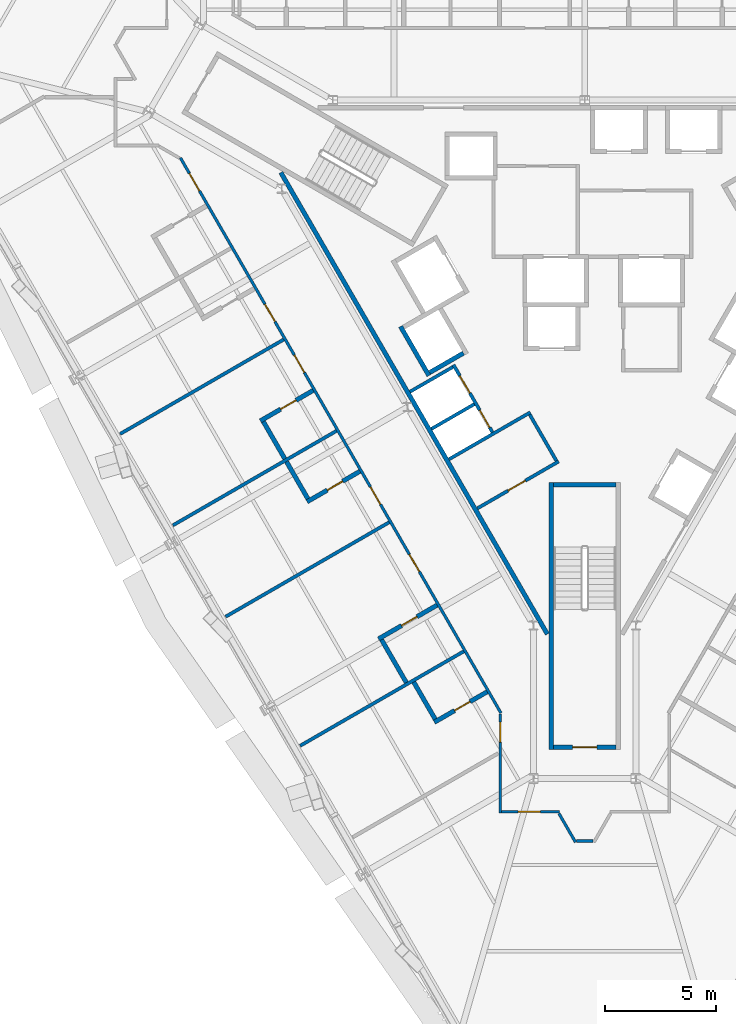
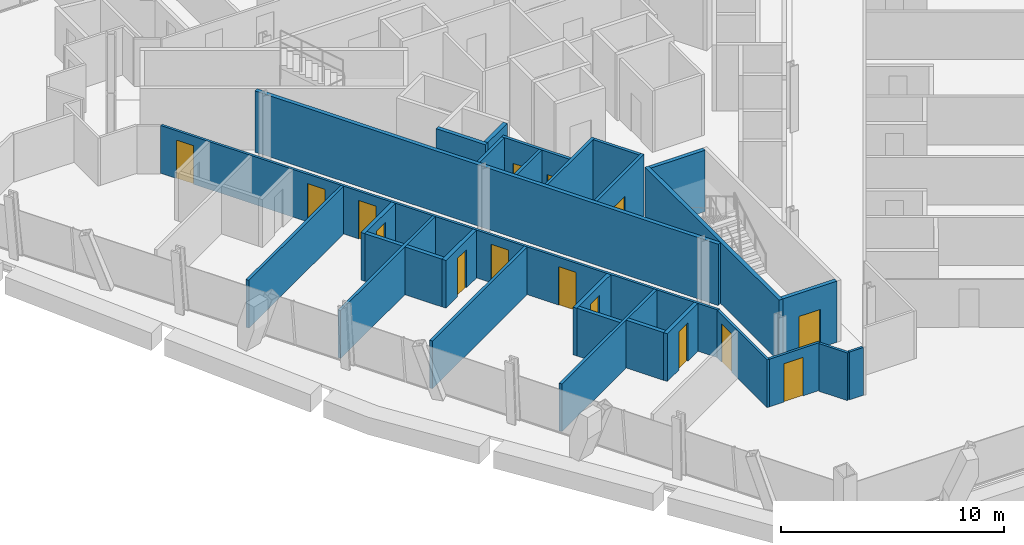
# One storey, part 8 of 15: 29 walls, 15 doors, 15 openings.
"""IFC4 building model written with IfcOpenShell, lengths in metres."""

from ifc_helpers import new_model, si_unit, direction, frame, frame_2d, origin, place, context, subcontext, project, spatial, rectangle, extrude, material, layer, layer_set, type_object, element, fill, save


model = new_model("IFC4")

# Units and contexts
model_context = context("Model", 3, precision=1e-05, world=origin(), true_north=direction((0.0, 1.0)))
body_context = subcontext(model_context, "Body", "Model", "MODEL_VIEW")
ifc_project = project(units=[si_unit("LENGTHUNIT", "METRE"), si_unit("AREAUNIT", "SQUARE_METRE"), si_unit("VOLUMEUNIT", "CUBIC_METRE"), si_unit("PLANEANGLEUNIT", "RADIAN"), si_unit("MASSUNIT", "GRAM", prefix="KILO")], contexts=[model_context])

# Site, building, storey
site_placement = place(None, origin())
site = spatial("IfcSite", under=ifc_project, at=site_placement, CompositionType="ELEMENT")
building_placement = place(site_placement, origin())
building = spatial("IfcBuilding", under=site, at=building_placement, Name="Verrane Prism Tower", CompositionType="ELEMENT")
storey_placement = place(building_placement, frame((0.0, 0.0, 72.800048828125)))
storey = spatial("IfcBuildingStorey", under=building, at=storey_placement, Name="L16", CompositionType="ELEMENT", Elevation=72.800048828125)

# Wall
ifc_material_1 = material(Name="Gypsum board partition", Category="other")
ifc_layer_1 = layer(ifc_material_1, 0.199951171875)
ifc_layer_set_1 = layer_set([ifc_layer_1], Name="CW-200 core boundary wall 2 h")
wall_type_1 = type_object("IfcWallType", Name="CW-200 core boundary wall 2 h", PredefinedType="PARTITIONING", material=ifc_layer_set_1)
wall_1_placement = place(storey_placement, frame((-13.66357421875, 5.946044921875, 0.0), z_axis=(0.0, 0.0, 1.0), x_axis=(0.499994327219, -0.866028678941, 0.0)))
element("IfcWall", 1, at=wall_1_placement, inside=storey, type_object=wall_type_1, Name="Core boundary wall CW3-001", PredefinedType="PARTITIONING", context=body_context, shape_type="SweptSolid", body=[
    extrude(rectangle(XDim=23.967529296875, YDim=0.199951171875, at=frame_2d((11.98388671875, 0.0))), origin(), (0.0, 0.0, 1.0), 3.349853515625),
])

# Wall, opening, door
ifc_material_2 = material(Name="Concrete C40/50", Category="concrete")
ifc_layer_2 = layer(ifc_material_2, 0.199951171875)
ifc_layer_set_2 = layer_set([ifc_layer_2], Name="CW-200 stair core wall concrete C40/50 3 h")
wall_type_2 = type_object("IfcWallType", Name="CW-200 stair core wall concrete C40/50 3 h", PredefinedType="PARTITIONING", material=ifc_layer_set_2)
wall_2_placement = place(storey_placement, frame((-1.39990234375, -19.89990234375, 0.0), z_axis=(0.0, 0.0, 1.0), x_axis=(1.0, 0.0, 0.0)))
wall_2 = element("IfcWall", 2, at=wall_2_placement, inside=storey, type_object=wall_type_2, Name="Stair 3 enclosure wall", PredefinedType="PARTITIONING", context=body_context, shape_type="SweptSolid", body=[
    extrude(rectangle(XDim=2.7998046875, YDim=0.199951171875, at=frame_2d((1.39990234375, 0.0))), origin(), (0.0, 0.0, 1.0), 3.349853515625),
])
opening_1_placement = place(wall_2_placement, frame((0.85009765625, 0.0, 0.0)))
opening_1 = element("IfcOpeningElement", 3, at=opening_1_placement, cuts=wall_2, Name="Opening D14502", PredefinedType="OPENING", context=body_context, shape_type="SweptSolid", body=[
    extrude(rectangle(XDim=1.10009765625, YDim=2.10009765625, at=frame_2d((0.550048828125, 1.050048828125))), frame((0.0, 0.10986328125, 0.0), z_axis=(0.0, -1.0, 0.0), x_axis=(1.0, 0.0, 0.0)), (0.0, 0.0, 1.0), 0.219970703125),
])
ifc_material_3 = material(Name="Timber veneered door leaf", Category="wood")
door_type_1 = type_object("IfcDoorType", Name="DR-1100x2100 FD90 single leaf stair", OperationType="NOTDEFINED", PredefinedType="DOOR", material=ifc_material_3)
door_1_placement = place(opening_1_placement, origin())
door_1 = element("IfcDoor", 4, at=door_1_placement, inside=storey, type_object=door_type_1, Name="Stair 3 door", OperationType="SINGLE_SWING_LEFT", OverallHeight=2.10009765625, OverallWidth=1.10009765625, PredefinedType="DOOR", context=body_context, shape_type="SweptSolid", body=[
    extrude(rectangle(XDim=1.10009765625, YDim=2.10009765625, at=frame_2d((0.550048828125, 1.050048828125))), frame((0.0, 0.02490234375, 0.0), z_axis=(0.0, -1.0, 0.0), x_axis=(1.0, 0.0, 0.0)), (0.0, 0.0, 1.0), 0.050048828125),
])
fill(opening_1, door_1)

# Walls
wall_3_placement = place(storey_placement, frame((-1.5, -8.0, 0.0), z_axis=(0.0, 0.0, 1.0), x_axis=(0.0, -1.0, 0.0)))
element("IfcWall", 5, at=wall_3_placement, inside=storey, type_object=wall_type_2, Name="Stair 3 enclosure wall", PredefinedType="PARTITIONING", context=body_context, shape_type="SweptSolid", body=[
    extrude(rectangle(XDim=12.0, YDim=0.199951171875, at=frame_2d((6.0, 0.0))), origin(), (0.0, 0.0, 1.0), 3.349853515625),
])
wall_4_placement = place(storey_placement, frame((-1.39990234375, -8.10009765625, 0.0), z_axis=(0.0, 0.0, 1.0), x_axis=(1.0, 0.0, 0.0)))
element("IfcWall", 6, at=wall_4_placement, inside=storey, type_object=wall_type_2, Name="Stair 3 enclosure wall", PredefinedType="PARTITIONING", context=body_context, shape_type="SweptSolid", body=[
    extrude(rectangle(XDim=2.7998046875, YDim=0.199951171875, at=frame_2d((1.39990234375, 0.0))), origin(), (0.0, 0.0, 1.0), 3.349853515625),
])
ifc_material_4 = material(Name="Gypsum board shaft wall assembly", Category="other")
ifc_layer_3 = layer(ifc_material_4, 0.199951171875)
ifc_layer_set_3 = layer_set([ifc_layer_3], Name="HW-200 lift shaft wall 2 h")
wall_type_3 = type_object("IfcWallType", Name="HW-200 lift shaft wall 2 h", PredefinedType="PARTITIONING", material=ifc_layer_set_3)
wall_5_placement = place(storey_placement, frame((-6.9697265625, -3.048095703125, 0.0), z_axis=(0.0, 0.0, 1.0), x_axis=(0.866036909293, 0.499980071345, 0.0)))
element("IfcWall", 7, at=wall_5_placement, inside=storey, type_object=wall_type_3, Name="Lift shaft wall", PredefinedType="PARTITIONING", context=body_context, shape_type="SweptSolid", body=[
    extrude(rectangle(XDim=1.75, YDim=0.199951171875, at=frame_2d((0.875, 0.0))), origin(), (0.0, 0.0, 1.0), 3.599853515625),
])
wall_6_placement = place(storey_placement, frame((-7.00634765625, -3.184814453125, 0.0), z_axis=(0.0, 0.0, 1.0), x_axis=(-0.499990435942, 0.866030925526, 0.0)))
element("IfcWall", 8, at=wall_6_placement, inside=storey, type_object=wall_type_3, Name="Lift shaft wall", PredefinedType="PARTITIONING", context=body_context, shape_type="SweptSolid", body=[
    extrude(rectangle(XDim=2.5498046875, YDim=0.199951171875, at=frame_2d((1.27490234375, 0.0))), origin(), (0.0, 0.0, 1.0), 3.599853515625),
])

# Wall, openings, doors
ifc_material_5 = material(Name="Gypsum board partition", Category="other")
ifc_layer_4 = layer(ifc_material_5, 0.125)
ifc_layer_set_4 = layer_set([ifc_layer_4], Name="PW-125 corridor wall 1 h")
wall_type_4 = type_object("IfcWallType", Name="PW-125 corridor wall 1 h", PredefinedType="PARTITIONING", material=ifc_layer_set_4)
wall_7_placement = place(storey_placement, frame((-3.765869140625, -18.358154296875, 0.0), z_axis=(0.0, 0.0, 1.0), x_axis=(-0.500003973642, 0.866023109589, 0.0)))
wall_7 = element("IfcWall", 9, at=wall_7_placement, inside=storey, type_object=wall_type_4, Name="Corridor wall 018", PredefinedType="PARTITIONING", context=body_context, shape_type="SweptSolid", body=[
    extrude(rectangle(XDim=28.826416015625, YDim=0.125, at=frame_2d((14.4130859375, 0.0))), origin(), (0.0, 0.0, 1.0), 2.613037109375),
])
opening_2_placement = place(wall_7_placement, frame((27.114013671875, 0.0, 0.0)))
opening_2 = element("IfcOpeningElement", 10, at=opening_2_placement, cuts=wall_7, Name="Opening D14032", PredefinedType="OPENING", context=body_context, shape_type="SweptSolid", body=[
    extrude(rectangle(XDim=0.89990234375, YDim=2.10009765625, at=frame_2d((0.449951171875, 1.050048828125))), frame((0.0, 0.072509765625, 0.0), z_axis=(0.0, -1.0, 0.0), x_axis=(1.0, 0.0, 0.0)), (0.0, 0.0, 1.0), 0.14501953125),
])
opening_3_placement = place(wall_7_placement, frame((20.322021484375, 0.0, 0.0)))
opening_3 = element("IfcOpeningElement", 11, at=opening_3_placement, cuts=wall_7, Name="Opening D14034", PredefinedType="OPENING", context=body_context, shape_type="SweptSolid", body=[
    extrude(rectangle(XDim=0.89990234375, YDim=2.10009765625, at=frame_2d((0.449951171875, 1.050048828125))), frame((0.0, 0.072509765625, 0.0), z_axis=(0.0, -1.0, 0.0), x_axis=(1.0, 0.0, 0.0)), (0.0, 0.0, 1.0), 0.14501953125),
])
opening_4_placement = place(wall_7_placement, frame((17.679931640625, 0.0, 0.0)))
opening_4 = element("IfcOpeningElement", 12, at=opening_4_placement, cuts=wall_7, Name="Opening D14036", PredefinedType="OPENING", context=body_context, shape_type="SweptSolid", body=[
    extrude(rectangle(XDim=0.89990234375, YDim=2.10009765625, at=frame_2d((0.449951171875, 1.050048828125))), frame((0.0, 0.072509765625, 0.0), z_axis=(0.0, -1.0, 0.0), x_axis=(1.0, 0.0, 0.0)), (0.0, 0.0, 1.0), 0.14501953125),
])
opening_5_placement = place(wall_7_placement, frame((10.8359375, 0.0, 0.0)))
opening_5 = element("IfcOpeningElement", 13, at=opening_5_placement, cuts=wall_7, Name="Opening D14038", PredefinedType="OPENING", context=body_context, shape_type="SweptSolid", body=[
    extrude(rectangle(XDim=0.89990234375, YDim=2.10009765625, at=frame_2d((0.449951171875, 1.050048828125))), frame((0.0, 0.072509765625, 0.0), z_axis=(0.0, -1.0, 0.0), x_axis=(1.0, 0.0, 0.0)), (0.0, 0.0, 1.0), 0.14501953125),
])
opening_6_placement = place(wall_7_placement, frame((7.342041015625, 0.0, 0.0)))
opening_6 = element("IfcOpeningElement", 14, at=opening_6_placement, cuts=wall_7, Name="Opening D14040", PredefinedType="OPENING", context=body_context, shape_type="SweptSolid", body=[
    extrude(rectangle(XDim=0.89990234375, YDim=2.10009765625, at=frame_2d((0.449951171875, 1.050048828125))), frame((0.0, 0.072509765625, 0.0), z_axis=(0.0, -1.0, 0.0), x_axis=(1.0, 0.0, 0.0)), (0.0, 0.0, 1.0), 0.14501953125),
])
ifc_material_6 = material(Name="Timber veneered door leaf", Category="wood")
door_type_2 = type_object("IfcDoorType", Name="DR-900x2100 FD20 single leaf unit", OperationType="NOTDEFINED", PredefinedType="DOOR", material=ifc_material_6)
door_2_placement = place(opening_2_placement, origin())
door_2 = element("IfcDoor", 15, at=door_2_placement, inside=storey, type_object=door_type_2, Name="Guest Room door", OperationType="SINGLE_SWING_LEFT", OverallHeight=2.10009765625, OverallWidth=0.89990234375, PredefinedType="DOOR", context=body_context, shape_type="SweptSolid", body=[
    extrude(rectangle(XDim=0.89990234375, YDim=2.10009765625, at=frame_2d((0.449951171875, 1.050048828125))), frame((0.0, 0.02490234375, 0.0), z_axis=(0.0, -1.0, 0.0), x_axis=(1.0, 0.0, 0.0)), (0.0, 0.0, 1.0), 0.050048828125),
])
fill(opening_2, door_2)
door_3_placement = place(opening_3_placement, origin())
door_3 = element("IfcDoor", 16, at=door_3_placement, inside=storey, type_object=door_type_2, Name="Guest Room door", OperationType="SINGLE_SWING_LEFT", OverallHeight=2.10009765625, OverallWidth=0.89990234375, PredefinedType="DOOR", context=body_context, shape_type="SweptSolid", body=[
    extrude(rectangle(XDim=0.89990234375, YDim=2.10009765625, at=frame_2d((0.449951171875, 1.050048828125))), frame((0.0, 0.02490234375, 0.0), z_axis=(0.0, -1.0, 0.0), x_axis=(1.0, 0.0, 0.0)), (0.0, 0.0, 1.0), 0.050048828125),
])
fill(opening_3, door_3)
door_4_placement = place(opening_4_placement, origin())
door_4 = element("IfcDoor", 17, at=door_4_placement, inside=storey, type_object=door_type_2, Name="Guest Room door", OperationType="SINGLE_SWING_LEFT", OverallHeight=2.10009765625, OverallWidth=0.89990234375, PredefinedType="DOOR", context=body_context, shape_type="SweptSolid", body=[
    extrude(rectangle(XDim=0.89990234375, YDim=2.10009765625, at=frame_2d((0.449951171875, 1.050048828125))), frame((0.0, 0.02490234375, 0.0), z_axis=(0.0, -1.0, 0.0), x_axis=(1.0, 0.0, 0.0)), (0.0, 0.0, 1.0), 0.050048828125),
])
fill(opening_4, door_4)
door_5_placement = place(opening_5_placement, origin())
door_5 = element("IfcDoor", 18, at=door_5_placement, inside=storey, type_object=door_type_2, Name="Guest Room door", OperationType="SINGLE_SWING_LEFT", OverallHeight=2.10009765625, OverallWidth=0.89990234375, PredefinedType="DOOR", context=body_context, shape_type="SweptSolid", body=[
    extrude(rectangle(XDim=0.89990234375, YDim=2.10009765625, at=frame_2d((0.449951171875, 1.050048828125))), frame((0.0, 0.02490234375, 0.0), z_axis=(0.0, -1.0, 0.0), x_axis=(1.0, 0.0, 0.0)), (0.0, 0.0, 1.0), 0.050048828125),
])
fill(opening_5, door_5)
door_6_placement = place(opening_6_placement, origin())
door_6 = element("IfcDoor", 19, at=door_6_placement, inside=storey, type_object=door_type_2, Name="Junior Suite door", OperationType="SINGLE_SWING_LEFT", OverallHeight=2.10009765625, OverallWidth=0.89990234375, PredefinedType="DOOR", context=body_context, shape_type="SweptSolid", body=[
    extrude(rectangle(XDim=0.89990234375, YDim=2.10009765625, at=frame_2d((0.449951171875, 1.050048828125))), frame((0.0, 0.02490234375, 0.0), z_axis=(0.0, -1.0, 0.0), x_axis=(1.0, 0.0, 0.0)), (0.0, 0.0, 1.0), 0.050048828125),
])
fill(opening_6, door_6)

# Wall, opening, door
wall_8_placement = place(storey_placement, frame((-3.797119140625, -22.859619140625, 0.0), z_axis=(0.0, 0.0, 1.0), x_axis=(0.0, 1.0, 0.0)))
wall_8 = element("IfcWall", 20, at=wall_8_placement, inside=storey, type_object=wall_type_4, Name="Corridor wall 045", PredefinedType="PARTITIONING", context=body_context, shape_type="SweptSolid", body=[
    extrude(rectangle(XDim=4.470703125, YDim=0.125, at=frame_2d((2.2353515625, 0.0))), origin(), (0.0, 0.0, 1.0), 2.613037109375),
])
opening_7_placement = place(wall_8_placement, frame((3.197509765625, 0.0, 0.0)))
opening_7 = element("IfcOpeningElement", 21, at=opening_7_placement, cuts=wall_8, Name="Opening D14042", PredefinedType="OPENING", context=body_context, shape_type="SweptSolid", body=[
    extrude(rectangle(XDim=0.89990234375, YDim=2.10009765625, at=frame_2d((0.449951171875, 1.050048828125))), frame((0.0, 0.072509765625, 0.0), z_axis=(0.0, -1.0, 0.0), x_axis=(1.0, 0.0, 0.0)), (0.0, 0.0, 1.0), 0.14501953125),
])
door_7_placement = place(opening_7_placement, origin())
door_7 = element("IfcDoor", 22, at=door_7_placement, inside=storey, type_object=door_type_2, Name="Guest Room door", OperationType="SINGLE_SWING_RIGHT", OverallHeight=2.10009765625, OverallWidth=0.89990234375, PredefinedType="DOOR", context=body_context, shape_type="SweptSolid", body=[
    extrude(rectangle(XDim=0.89990234375, YDim=2.10009765625, at=frame_2d((0.449951171875, 1.050048828125))), frame((0.0, 0.02490234375, 0.0), z_axis=(0.0, -1.0, 0.0), x_axis=(1.0, 0.0, 0.0)), (0.0, 0.0, 1.0), 0.050048828125),
])
fill(opening_7, door_7)

wall_9_placement = place(storey_placement, frame((-1.140380859375, -22.797119140625, 0.0), z_axis=(0.0, 0.0, 1.0), x_axis=(-1.0, 0.0, 0.0)))
wall_9 = element("IfcWall", 23, at=wall_9_placement, inside=storey, type_object=wall_type_4, Name="Corridor wall 046", PredefinedType="PARTITIONING", context=body_context, shape_type="SweptSolid", body=[
    extrude(rectangle(XDim=2.591552734375, YDim=0.125, at=frame_2d((1.2958984375, 0.0))), origin(), (0.0, 0.0, 1.0), 2.613037109375),
])
opening_8_placement = place(wall_9_placement, frame((0.8564453125, 0.0, 0.0)))
opening_8 = element("IfcOpeningElement", 24, at=opening_8_placement, cuts=wall_9, Name="Opening D14001", PredefinedType="OPENING", context=body_context, shape_type="SweptSolid", body=[
    extrude(rectangle(XDim=1.0, YDim=2.10009765625, at=frame_2d((0.5, 1.050048828125))), frame((0.0, 0.072509765625, 0.0), z_axis=(0.0, -1.0, 0.0), x_axis=(1.0, 0.0, 0.0)), (0.0, 0.0, 1.0), 0.14501953125),
])
ifc_material_7 = material(Name="Timber veneered door leaf", Category="wood")
door_type_3 = type_object("IfcDoorType", Name="DR-1000x2100 FD20 single leaf unit", OperationType="NOTDEFINED", PredefinedType="DOOR", material=ifc_material_7)
door_8_placement = place(opening_8_placement, origin())
door_8 = element("IfcDoor", 25, at=door_8_placement, inside=storey, type_object=door_type_3, Name="Suite Living Room door", OperationType="SINGLE_SWING_RIGHT", OverallHeight=2.10009765625, OverallWidth=1.0, PredefinedType="DOOR", context=body_context, shape_type="SweptSolid", body=[
    extrude(rectangle(XDim=1.0, YDim=2.10009765625, at=frame_2d((0.5, 1.050048828125))), frame((0.0, 0.02490234375, 0.0), z_axis=(0.0, -1.0, 0.0), x_axis=(1.0, 0.0, 0.0)), (0.0, 0.0, 1.0), 0.050048828125),
])
fill(opening_8, door_8)

# Walls
wall_10_placement = place(storey_placement, frame((-1.16064453125, -22.87060546875, 0.0), z_axis=(0.0, 0.0, 1.0), x_axis=(0.499609040113, -0.866251006947, 0.0)))
element("IfcWall", 26, at=wall_10_placement, inside=storey, type_object=wall_type_4, Name="Corridor wall 047", PredefinedType="PARTITIONING", context=body_context, shape_type="SweptSolid", body=[
    extrude(rectangle(XDim=1.490966796875, YDim=0.125, at=frame_2d((0.74560546875, 0.0))), origin(), (0.0, 0.0, 1.0), 2.613037109375),
])
wall_11_placement = place(storey_placement, frame((-0.362060546875, -24.10791015625, 0.0), z_axis=(0.0, 0.0, 1.0), x_axis=(1.0, 0.0, 0.0)))
element("IfcWall", 27, at=wall_11_placement, inside=storey, type_object=wall_type_4, Name="Corridor wall 049", PredefinedType="PARTITIONING", context=body_context, shape_type="SweptSolid", body=[
    extrude(rectangle(XDim=0.72412109375, YDim=0.125, at=frame_2d((0.362060546875, 0.0))), origin(), (0.0, 0.0, 1.0), 2.613037109375),
])
ifc_material_8 = material(Name="Gypsum board partition", Category="other")
ifc_layer_5 = layer(ifc_material_8, 0.14990234375)
ifc_layer_set_5 = layer_set([ifc_layer_5], Name="PW-150 demising wall 1 h")
wall_type_5 = type_object("IfcWallType", Name="PW-150 demising wall 1 h", PredefinedType="PARTITIONING", material=ifc_layer_set_5)
wall_12_placement = place(storey_placement, frame((-20.888671875, -5.808837890625, 0.0), z_axis=(0.0, 0.0, 1.0), x_axis=(0.866022790583, 0.50000452617, 0.0)))
element("IfcWall", 28, at=wall_12_placement, inside=storey, type_object=wall_type_5, Name="Demising wall 009", PredefinedType="PARTITIONING", context=body_context, shape_type="SweptSolid", body=[
    extrude(rectangle(XDim=8.4912109375, YDim=0.14990234375, at=frame_2d((4.24560546875, 0.0))), origin(), (0.0, 0.0, 1.0), 2.613037109375),
])
wall_13_placement = place(storey_placement, frame((-18.516845703125, -9.9169921875, 0.0), z_axis=(0.0, 0.0, 1.0), x_axis=(0.866017528739, 0.50001363973, 0.0)))
element("IfcWall", 29, at=wall_13_placement, inside=storey, type_object=wall_type_5, Name="Demising wall 016", PredefinedType="PARTITIONING", context=body_context, shape_type="SweptSolid", body=[
    extrude(rectangle(XDim=8.491455078125, YDim=0.14990234375, at=frame_2d((4.24560546875, 0.0))), origin(), (0.0, 0.0, 1.0), 2.613037109375),
])
for number, where, z_axis, x_axis, name in (
    (30, (-16.14501953125, -14.025146484375, 0.0), (0.0, 0.0, 1.0), (0.866024716685, 0.500001190089, 0.0), "Demising wall 022"),
    (31, (-12.794189453125, -19.8291015625, 0.0), (0.0, 0.0, 1.0), (0.866024716685, 0.500001190089, 0.0), "Demising wall 032"),
):
    element("IfcWall", number, at=place(storey_placement, frame(where, z_axis=z_axis, x_axis=x_axis)), inside=storey, type_object=wall_type_5, Name=name, PredefinedType="PARTITIONING", context=body_context, shape_type="SweptSolid", body=[
        extrude(rectangle(XDim=8.49169921875, YDim=0.14990234375, at=frame_2d((4.245849609375, 0.0))), origin(), (0.0, 0.0, 1.0), 2.613037109375),
    ])
ifc_material_9 = material(Name="Gypsum board partition", Category="other")
ifc_layer_6 = layer(ifc_material_9, 0.199951171875)
ifc_layer_set_6 = layer_set([ifc_layer_6], Name="PW-200 plumbing wall")
wall_type_6 = type_object("IfcWallType", Name="PW-200 plumbing wall", PredefinedType="PARTITIONING", material=ifc_layer_set_6)
wall_14_placement = place(storey_placement, frame((-14.447021484375, -5.257568359375, 0.0), z_axis=(0.0, 0.0, 1.0), x_axis=(0.499667418833, -0.866217334482, 0.0)))
element("IfcWall", 32, at=wall_14_placement, inside=storey, type_object=wall_type_6, Name="Plumbing wall 028", PredefinedType="PARTITIONING", context=body_context, shape_type="SweptSolid", body=[
    extrude(rectangle(XDim=1.920166015625, YDim=0.199951171875, at=frame_2d((0.9599609375, 0.0))), origin(), (0.0, 0.0, 1.0), 2.613037109375),
])

# Wall, opening, door
wall_15_placement = place(storey_placement, frame((-12.213134765625, -3.852294921875, 0.0), z_axis=(0.0, 0.0, 1.0), x_axis=(-0.866005850709, -0.50003386539, 0.0)))
wall_15 = element("IfcWall", 33, at=wall_15_placement, inside=storey, type_object=wall_type_6, Name="Plumbing wall 029", PredefinedType="PARTITIONING", context=body_context, shape_type="SweptSolid", body=[
    extrude(rectangle(XDim=2.737060546875, YDim=0.199951171875, at=frame_2d((1.36865234375, 0.0))), origin(), (0.0, 0.0, 1.0), 2.613037109375),
])
opening_9_placement = place(wall_15_placement, frame((0.88720703125, 0.0, 0.0)))
opening_9 = element("IfcOpeningElement", 34, at=opening_9_placement, cuts=wall_15, Name="Opening D14037", PredefinedType="OPENING", context=body_context, shape_type="SweptSolid", body=[
    extrude(rectangle(XDim=0.800048828125, YDim=2.10009765625, at=frame_2d((0.39990234375, 1.050048828125))), frame((0.0, 0.10986328125, 0.0), z_axis=(0.0, -1.0, 0.0), x_axis=(1.0, 0.0, 0.0)), (0.0, 0.0, 1.0), 0.219970703125),
])
ifc_material_10 = material(Name="Timber veneered door leaf", Category="wood")
door_type_4 = type_object("IfcDoorType", Name="DR-800x2100 single leaf bath", OperationType="NOTDEFINED", PredefinedType="DOOR", material=ifc_material_10)
door_9_placement = place(opening_9_placement, origin())
door_9 = element("IfcDoor", 35, at=door_9_placement, inside=storey, type_object=door_type_4, Name="En-Suite door", OperationType="SINGLE_SWING_RIGHT", OverallHeight=2.10009765625, OverallWidth=0.800048828125, PredefinedType="DOOR", context=body_context, shape_type="SweptSolid", body=[
    extrude(rectangle(XDim=0.800048828125, YDim=2.10009765625, at=frame_2d((0.39990234375, 1.050048828125))), frame((0.0, 0.02490234375, 0.0), z_axis=(0.0, -1.0, 0.0), x_axis=(1.0, 0.0, 0.0)), (0.0, 0.0, 1.0), 0.050048828125),
])
fill(opening_9, door_9)

# Wall
wall_16_placement = place(storey_placement, frame((-13.407470703125, -7.058837890625, 0.0), z_axis=(0.0, 0.0, 1.0), x_axis=(0.499993829411, -0.866028966346, 0.0)))
element("IfcWall", 36, at=wall_16_placement, inside=storey, type_object=wall_type_6, Name="Plumbing wall 030", PredefinedType="PARTITIONING", context=body_context, shape_type="SweptSolid", body=[
    extrude(rectangle(XDim=1.9208984375, YDim=0.199951171875, at=frame_2d((0.96044921875, 0.0))), origin(), (0.0, 0.0, 1.0), 2.613037109375),
])

# Wall, opening, door
wall_17_placement = place(storey_placement, frame((-12.483642578125, -8.85888671875, 0.0), z_axis=(0.0, 0.0, 1.0), x_axis=(0.866028150195, 0.499995243048, 0.0)))
wall_17 = element("IfcWall", 37, at=wall_17_placement, inside=storey, type_object=wall_type_6, Name="Plumbing wall 033", PredefinedType="PARTITIONING", context=body_context, shape_type="SweptSolid", body=[
    extrude(rectangle(XDim=2.7373046875, YDim=0.199951171875, at=frame_2d((1.36865234375, 0.0))), origin(), (0.0, 0.0, 1.0), 2.613037109375),
])
opening_10_placement = place(wall_17_placement, frame((1.050048828125, 0.0, 0.0)))
opening_10 = element("IfcOpeningElement", 38, at=opening_10_placement, cuts=wall_17, Name="Opening D14039", PredefinedType="OPENING", context=body_context, shape_type="SweptSolid", body=[
    extrude(rectangle(XDim=0.800048828125, YDim=2.10009765625, at=frame_2d((0.39990234375, 1.050048828125))), frame((0.0, 0.10986328125, 0.0), z_axis=(0.0, -1.0, 0.0), x_axis=(1.0, 0.0, 0.0)), (0.0, 0.0, 1.0), 0.219970703125),
])
door_10_placement = place(opening_10_placement, origin())
door_10 = element("IfcDoor", 39, at=door_10_placement, inside=storey, type_object=door_type_4, Name="En-Suite door", OperationType="SINGLE_SWING_LEFT", OverallHeight=2.10009765625, OverallWidth=0.800048828125, PredefinedType="DOOR", context=body_context, shape_type="SweptSolid", body=[
    extrude(rectangle(XDim=0.800048828125, YDim=2.10009765625, at=frame_2d((0.39990234375, 1.050048828125))), frame((0.0, 0.02490234375, 0.0), z_axis=(0.0, -1.0, 0.0), x_axis=(1.0, 0.0, 0.0)), (0.0, 0.0, 1.0), 0.050048828125),
])
fill(opening_10, door_10)

# Wall
wall_18_placement = place(storey_placement, frame((-9.134033203125, -15.060546875, 0.0), z_axis=(0.0, 0.0, 1.0), x_axis=(0.500092923031, -0.865971748, 0.0)))
element("IfcWall", 40, at=wall_18_placement, inside=storey, type_object=wall_type_6, Name="Plumbing wall 036", PredefinedType="PARTITIONING", context=body_context, shape_type="SweptSolid", body=[
    extrude(rectangle(XDim=2.224609375, YDim=0.199951171875, at=frame_2d((1.1123046875, 0.0))), origin(), (0.0, 0.0, 1.0), 2.613037109375),
])

# Wall, opening, door
wall_19_placement = place(storey_placement, frame((-6.64013671875, -13.50537109375, 0.0), z_axis=(0.0, 0.0, 1.0), x_axis=(-0.866038344573, -0.499977585228, 0.0)))
wall_19 = element("IfcWall", 41, at=wall_19_placement, inside=storey, type_object=wall_type_6, Name="Plumbing wall 037", PredefinedType="PARTITIONING", context=body_context, shape_type="SweptSolid", body=[
    extrude(rectangle(XDim=3.037353515625, YDim=0.199951171875, at=frame_2d((1.5185546875, 0.0))), origin(), (0.0, 0.0, 1.0), 2.613037109375),
])
opening_11_placement = place(wall_19_placement, frame((1.037353515625, 0.0, 0.0)))
opening_11 = element("IfcOpeningElement", 42, at=opening_11_placement, cuts=wall_19, Name="Opening D14041", PredefinedType="OPENING", context=body_context, shape_type="SweptSolid", body=[
    extrude(rectangle(XDim=0.800048828125, YDim=2.10009765625, at=frame_2d((0.39990234375, 1.050048828125))), frame((0.0, 0.10986328125, 0.0), z_axis=(0.0, -1.0, 0.0), x_axis=(1.0, 0.0, 0.0)), (0.0, 0.0, 1.0), 0.219970703125),
])
door_11_placement = place(opening_11_placement, origin())
door_11 = element("IfcDoor", 43, at=door_11_placement, inside=storey, type_object=door_type_4, Name="En-Suite door", OperationType="SINGLE_SWING_RIGHT", OverallHeight=2.10009765625, OverallWidth=0.800048828125, PredefinedType="DOOR", context=body_context, shape_type="SweptSolid", body=[
    extrude(rectangle(XDim=0.800048828125, YDim=2.10009765625, at=frame_2d((0.39990234375, 1.050048828125))), frame((0.0, 0.02490234375, 0.0), z_axis=(0.0, -1.0, 0.0), x_axis=(1.0, 0.0, 0.0)), (0.0, 0.0, 1.0), 0.050048828125),
])
fill(opening_11, door_11)

# Wall
wall_20_placement = place(storey_placement, frame((-7.6865234375, -16.967041015625, 0.0), z_axis=(0.0, 0.0, 1.0), x_axis=(0.500026156197, -0.86601030197, 0.0)))
element("IfcWall", 44, at=wall_20_placement, inside=storey, type_object=wall_type_6, Name="Plumbing wall 040", PredefinedType="PARTITIONING", context=body_context, shape_type="SweptSolid", body=[
    extrude(rectangle(XDim=1.92529296875, YDim=0.199951171875, at=frame_2d((0.962646484375, 0.0))), origin(), (0.0, 0.0, 1.0), 2.613037109375),
])

# Wall, opening, door
wall_21_placement = place(storey_placement, frame((-6.760498046875, -18.77099609375, 0.0), z_axis=(0.0, 0.0, 1.0), x_axis=(0.866005850709, 0.50003386539, 0.0)))
wall_21 = element("IfcWall", 45, at=wall_21_placement, inside=storey, type_object=wall_type_6, Name="Plumbing wall 041", PredefinedType="PARTITIONING", context=body_context, shape_type="SweptSolid", body=[
    extrude(rectangle(XDim=2.737060546875, YDim=0.199951171875, at=frame_2d((1.36865234375, 0.0))), origin(), (0.0, 0.0, 1.0), 2.613037109375),
])
opening_12_placement = place(wall_21_placement, frame((1.050048828125, 0.0, 0.0)))
opening_12 = element("IfcOpeningElement", 46, at=opening_12_placement, cuts=wall_21, Name="Opening D14043", PredefinedType="OPENING", context=body_context, shape_type="SweptSolid", body=[
    extrude(rectangle(XDim=0.800048828125, YDim=2.10009765625, at=frame_2d((0.39990234375, 1.050048828125))), frame((0.0, 0.10986328125, 0.0), z_axis=(0.0, -1.0, 0.0), x_axis=(1.0, 0.0, 0.0)), (0.0, 0.0, 1.0), 0.219970703125),
])
door_12_placement = place(opening_12_placement, origin())
door_12 = element("IfcDoor", 47, at=door_12_placement, inside=storey, type_object=door_type_4, Name="En-Suite door", OperationType="SINGLE_SWING_LEFT", OverallHeight=2.10009765625, OverallWidth=0.800048828125, PredefinedType="DOOR", context=body_context, shape_type="SweptSolid", body=[
    extrude(rectangle(XDim=0.800048828125, YDim=2.10009765625, at=frame_2d((0.39990234375, 1.050048828125))), frame((0.0, 0.02490234375, 0.0), z_axis=(0.0, -1.0, 0.0), x_axis=(1.0, 0.0, 0.0)), (0.0, 0.0, 1.0), 0.050048828125),
])
fill(opening_12, door_12)

# Walls
ifc_material_11 = material(Name="Gypsum board partition", Category="other")
ifc_layer_7 = layer(ifc_material_11, 0.14990234375)
ifc_layer_set_7 = layer_set([ifc_layer_7], Name="RS-150 riser enclosure wall 1 h")
wall_type_7 = type_object("IfcWallType", Name="RS-150 riser enclosure wall 1 h", PredefinedType="PARTITIONING", material=ifc_layer_set_7)
wall_22_placement = place(storey_placement, frame((-7.8564453125, -3.912109375, 0.0), z_axis=(0.0, 0.0, 1.0), x_axis=(0.865971748, 0.500092923031, 0.0)))
element("IfcWall", 48, at=wall_22_placement, inside=storey, type_object=wall_type_7, Name="Riser wall RS3-001", PredefinedType="PARTITIONING", context=body_context, shape_type="SweptSolid", body=[
    extrude(rectangle(XDim=2.224609375, YDim=0.14990234375, at=frame_2d((1.1123046875, 0.0))), origin(), (0.0, 0.0, 1.0), 3.349853515625),
])
wall_23_placement = place(storey_placement, frame((-6.892333984375, -5.58203125, 0.0), z_axis=(0.0, 0.0, 1.0), x_axis=(0.865944298464, 0.500140452231, 0.0)))
element("IfcWall", 49, at=wall_23_placement, inside=storey, type_object=wall_type_7, Name="Riser wall RS3-002", PredefinedType="PARTITIONING", context=body_context, shape_type="SweptSolid", body=[
    extrude(rectangle(XDim=2.224365234375, YDim=0.14990234375, at=frame_2d((1.1123046875, 0.0))), origin(), (0.0, 0.0, 1.0), 3.349853515625),
])
wall_24_placement = place(storey_placement, frame((-6.10009765625, -6.945556640625, 0.0), z_axis=(0.0, 0.0, 1.0), x_axis=(0.866038200431, 0.499977834903, 0.0)))
element("IfcWall", 50, at=wall_24_placement, inside=storey, type_object=wall_type_7, Name="Riser wall RS3-003", PredefinedType="PARTITIONING", context=body_context, shape_type="SweptSolid", body=[
    extrude(rectangle(XDim=4.220458984375, YDim=0.14990234375, at=frame_2d((2.1103515625, 0.0))), origin(), (0.0, 0.0, 1.0), 3.349853515625),
])

# Wall, openings, doors
wall_25_placement = place(storey_placement, frame((-4.152099609375, -5.728759765625, 0.0), z_axis=(0.0, 0.0, 1.0), x_axis=(-0.500024287448, 0.866011380966, 0.0)))
wall_25 = element("IfcWall", 51, at=wall_25_placement, inside=storey, type_object=wall_type_7, Name="Riser wall RS3-004", PredefinedType="PARTITIONING", context=body_context, shape_type="SweptSolid", body=[
    extrude(rectangle(XDim=3.500732421875, YDim=0.14990234375, at=frame_2d((1.75048828125, 0.0))), origin(), (0.0, 0.0, 1.0), 3.349853515625),
])
opening_13_placement = place(wall_25_placement, frame((2.025634765625, 0.0, 0.0)))
opening_13 = element("IfcOpeningElement", 52, at=opening_13_placement, cuts=wall_25, Name="Opening D14512", PredefinedType="OPENING", context=body_context, shape_type="SweptSolid", body=[
    extrude(rectangle(XDim=0.89990234375, YDim=2.10009765625, at=frame_2d((0.449951171875, 1.050048828125))), frame((0.0, 0.0849609375, 0.0), z_axis=(0.0, -1.0, 0.0), x_axis=(1.0, 0.0, 0.0)), (0.0, 0.0, 1.0), 0.169921875),
])
opening_14_placement = place(wall_25_placement, frame((0.247802734375, 0.0, 0.0)))
opening_14 = element("IfcOpeningElement", 53, at=opening_14_placement, cuts=wall_25, Name="Opening D14513", PredefinedType="OPENING", context=body_context, shape_type="SweptSolid", body=[
    extrude(rectangle(XDim=0.89990234375, YDim=2.10009765625, at=frame_2d((0.449951171875, 1.050048828125))), frame((0.0, 0.0849609375, 0.0), z_axis=(0.0, -1.0, 0.0), x_axis=(1.0, 0.0, 0.0)), (0.0, 0.0, 1.0), 0.169921875),
])
ifc_material_12 = material(Name="Timber veneered door leaf", Category="wood")
door_type_5 = type_object("IfcDoorType", Name="DR-900x2100 FD60 single leaf riser", OperationType="NOTDEFINED", PredefinedType="DOOR", material=ifc_material_12)
door_13_placement = place(opening_13_placement, origin())
door_13 = element("IfcDoor", 54, at=door_13_placement, inside=storey, type_object=door_type_5, Name="Riser door D14512", OperationType="SINGLE_SWING_RIGHT", OverallHeight=2.10009765625, OverallWidth=0.89990234375, PredefinedType="DOOR", context=body_context, shape_type="SweptSolid", body=[
    extrude(rectangle(XDim=0.89990234375, YDim=2.10009765625, at=frame_2d((0.449951171875, 1.050048828125))), frame((0.0, 0.02490234375, 0.0), z_axis=(0.0, -1.0, 0.0), x_axis=(1.0, 0.0, 0.0)), (0.0, 0.0, 1.0), 0.050048828125),
])
fill(opening_13, door_13)
door_14_placement = place(opening_14_placement, origin())
door_14 = element("IfcDoor", 55, at=door_14_placement, inside=storey, type_object=door_type_5, Name="Riser door D14513", OperationType="SINGLE_SWING_LEFT", OverallHeight=2.10009765625, OverallWidth=0.89990234375, PredefinedType="DOOR", context=body_context, shape_type="SweptSolid", body=[
    extrude(rectangle(XDim=0.89990234375, YDim=2.10009765625, at=frame_2d((0.449951171875, 1.050048828125))), frame((0.0, 0.02490234375, 0.0), z_axis=(0.0, -1.0, 0.0), x_axis=(1.0, 0.0, 0.0)), (0.0, 0.0, 1.0), 0.050048828125),
])
fill(opening_14, door_14)

# Wall, opening, door
wall_26_placement = place(storey_placement, frame((-4.824951171875, -9.153564453125, 0.0), z_axis=(0.0, 0.0, 1.0), x_axis=(0.866023738697, 0.500002884005, 0.0)))
wall_26 = element("IfcWall", 56, at=wall_26_placement, inside=storey, type_object=wall_type_7, Name="Riser wall RS3-005", PredefinedType="PARTITIONING", context=body_context, shape_type="SweptSolid", body=[
    extrude(rectangle(XDim=4.22021484375, YDim=0.14990234375, at=frame_2d((2.110107421875, 0.0))), origin(), (0.0, 0.0, 1.0), 3.349853515625),
])
opening_15_placement = place(wall_26_placement, frame((1.594970703125, 0.0, 0.0)))
opening_15 = element("IfcOpeningElement", 57, at=opening_15_placement, cuts=wall_26, Name="Opening D14514", PredefinedType="OPENING", context=body_context, shape_type="SweptSolid", body=[
    extrude(rectangle(XDim=0.89990234375, YDim=2.10009765625, at=frame_2d((0.449951171875, 1.050048828125))), frame((0.0, 0.0849609375, 0.0), z_axis=(0.0, -1.0, 0.0), x_axis=(1.0, 0.0, 0.0)), (0.0, 0.0, 1.0), 0.169921875),
])
ifc_material_13 = material(Name="Timber veneered door leaf", Category="wood")
door_type_6 = type_object("IfcDoorType", Name="DR-900x2100 FD20 single leaf store", OperationType="NOTDEFINED", PredefinedType="DOOR", material=ifc_material_13)
door_15_placement = place(opening_15_placement, origin())
door_15 = element("IfcDoor", 58, at=door_15_placement, inside=storey, type_object=door_type_6, Name="Room door D14514", OperationType="SINGLE_SWING_LEFT", OverallHeight=2.10009765625, OverallWidth=0.89990234375, PredefinedType="DOOR", context=body_context, shape_type="SweptSolid", body=[
    extrude(rectangle(XDim=0.89990234375, YDim=2.10009765625, at=frame_2d((0.449951171875, 1.050048828125))), frame((0.0, 0.02490234375, 0.0), z_axis=(0.0, -1.0, 0.0), x_axis=(1.0, 0.0, 0.0)), (0.0, 0.0, 1.0), 0.050048828125),
])
fill(opening_15, door_15)

# Wall
wall_27_placement = place(storey_placement, frame((-2.472412109375, -4.93798828125, 0.0), z_axis=(0.0, 0.0, 1.0), x_axis=(0.500045362686, -0.865999212041, 0.0)))
element("IfcWall", 59, at=wall_27_placement, inside=storey, type_object=wall_type_7, Name="Riser wall RS3-006", PredefinedType="PARTITIONING", context=body_context, shape_type="SweptSolid", body=[
    extrude(rectangle(XDim=2.399658203125, YDim=0.14990234375, at=frame_2d((1.19970703125, 0.0))), origin(), (0.0, 0.0, 1.0), 3.349853515625),
])

save(model, "model.ifc")
